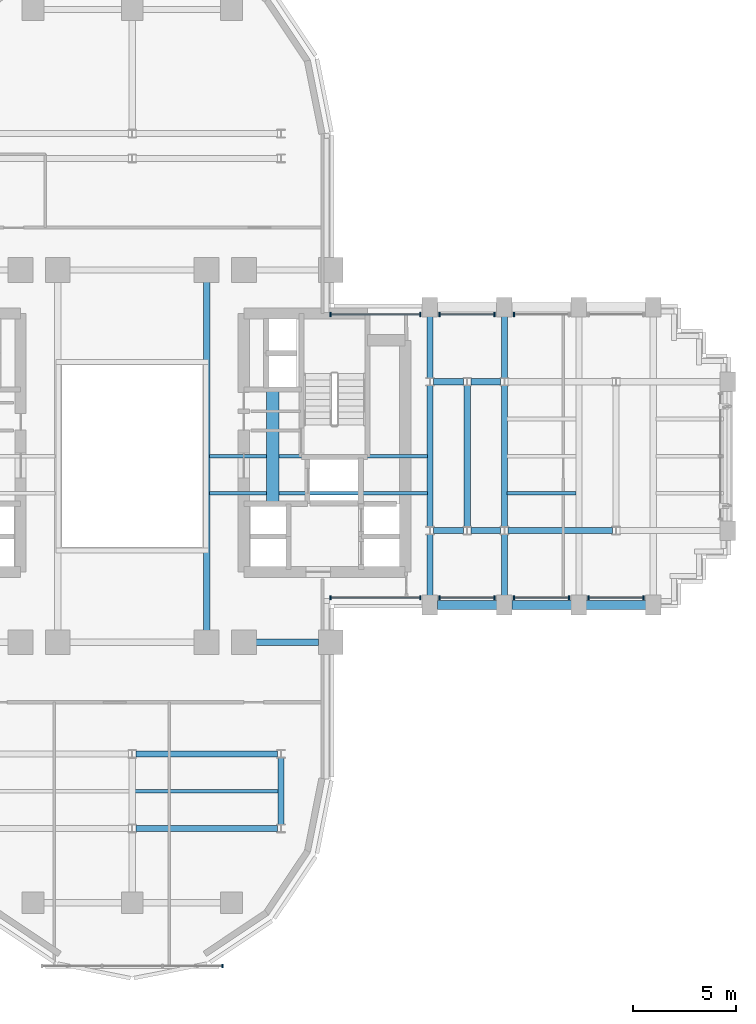
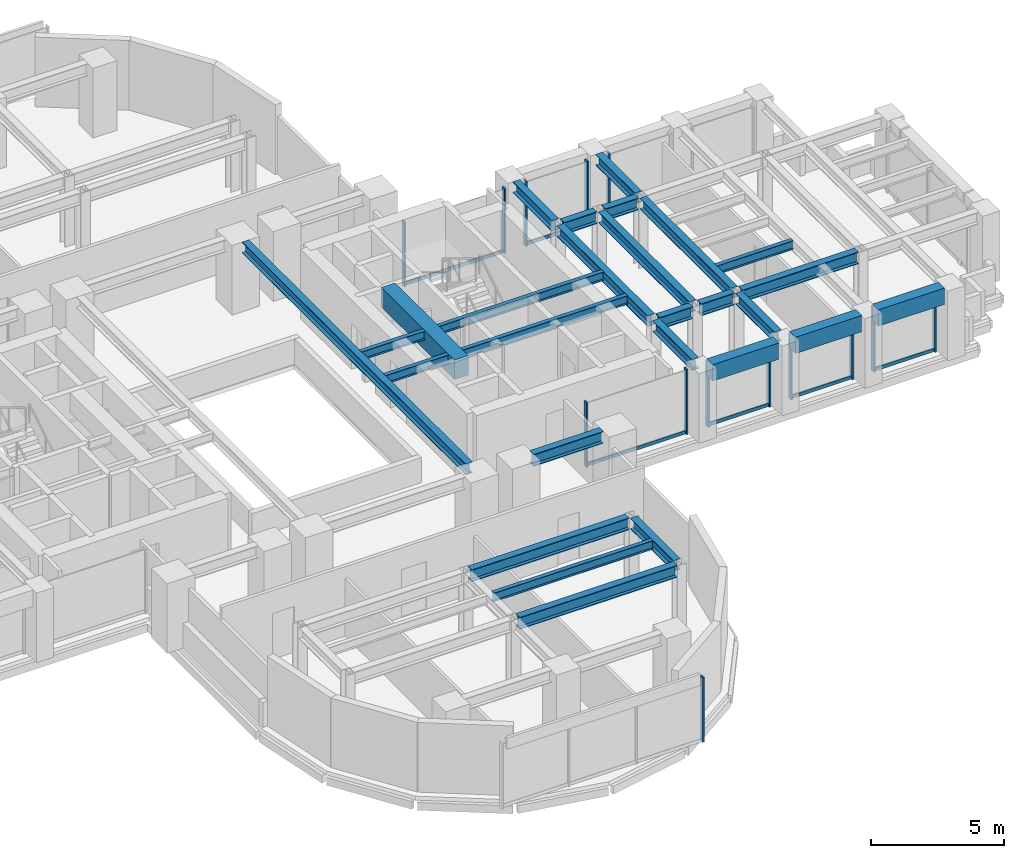
# One storey, part 5 of 16: 25 beams, 20 members, 8 elements without a shape of their own.
"""IFC4 building model written with IfcOpenShell, lengths in metres."""

from ifc_helpers import new_model, si_unit, direction, frame, origin, origin_2d, place, context, subcontext, project, spatial, rectangle, i_section, extrude, source, transform, mapped, material, material_profile, profile_set, type_object, element, aggregate, save


model = new_model("IFC4")

# Units and contexts
model_context = context("Model", 3, precision=1e-05, world=origin(), true_north=direction((0.0, 1.0)))
body_context = subcontext(model_context, "Body", "Model", "MODEL_VIEW")
ifc_project = project(units=[si_unit("LENGTHUNIT", "METRE"), si_unit("AREAUNIT", "SQUARE_METRE"), si_unit("VOLUMEUNIT", "CUBIC_METRE"), si_unit("PLANEANGLEUNIT", "RADIAN"), si_unit("MASSUNIT", "GRAM", prefix="KILO")], contexts=[model_context])

# Site, building, storey
site_placement = place(None, origin())
site = spatial("IfcSite", under=ifc_project, at=site_placement, CompositionType="ELEMENT")
building_placement = place(site_placement, origin())
building = spatial("IfcBuilding", under=site, at=building_placement, Name="Keilestroom Media Tower", CompositionType="ELEMENT")
storey_placement = place(building_placement, frame((0.0, 0.0, 57.800048828125)))
storey = spatial("IfcBuildingStorey", under=building, at=storey_placement, Name="L14", CompositionType="ELEMENT", Elevation=57.800048828125)

# Beams
ifc_material_1 = material(Name="Concrete C70/85", Category="concrete")
ifc_material_profile_1 = material_profile(ifc_material_1, rectangle(XDim=0.60009765625, YDim=0.89990234375, at=origin_2d()), Name="RC 600x900")
ifc_profile_set_1 = profile_set([ifc_material_profile_1], Name="Concrete C70/85")
beam_type_1 = type_object("IfcBeamType", Name="Core-Coupling-Lintel-Beam-RC-600x900", PredefinedType="LINTEL", material=ifc_profile_set_1)
shared_shape_1 = source(origin(), body_context, "Body", "SweptSolid", [
    extrude(rectangle(XDim=0.60009765625, YDim=0.89990234375, at=origin_2d()), origin(), (0.0, 0.0, 1.0), 5.52001953125),
])
beam_1_placement = place(storey_placement, frame((6.800048828125, -2.300048828125, 2.75), z_axis=(0.0, 1.0, 0.0), x_axis=(-1.0, 0.0, 0.0)))
element("IfcBeam", 1, at=beam_1_placement, inside=storey, type_object=beam_type_1, Name="L14 Beam CLB-1 CLB-L14-E", PredefinedType="LINTEL", context=body_context, shape_type="MappedRepresentation", body=[
    mapped(shared_shape_1, transform((0.0, 0.0, 0.0), x_axis=(1.0, 0.0, 0.0), y_axis=(0.0, 1.0, 0.0), z_axis=(0.0, 0.0, 1.0), scale=1.0)),
])
ifc_material_2 = material(Name="Steel S355", Category="steel")
ifc_material_profile_2 = material_profile(ifc_material_2, i_section(OverallWidth=0.300048828125, OverallDepth=0.550048828125, WebThickness=0.012939453125, FlangeThickness=0.029052734375, at=origin_2d()), Name="HEB 550")
ifc_profile_set_2 = profile_set([ifc_material_profile_2], Name="Steel S355")
beam_type_2 = type_object("IfcBeamType", Name="Primary-Structural-Girder-HEB-550", PredefinedType="BEAM", material=ifc_profile_set_2)
shared_shape_2 = source(origin(), body_context, "Body", "SweptSolid", [
    extrude(i_section(OverallWidth=0.300048828125, OverallDepth=0.550048828125, WebThickness=0.012939453125, FlangeThickness=0.029052734375, at=origin_2d()), origin(), (0.0, 0.0, 1.0), 6.836181640625),
])
for number, where, z_axis, x_axis, name in (
    (2, (0.181884765625, -18.0, 2.925048828125), (1.0, 0.0, 0.0), (0.0, 1.0, 0.0), "L14 Beam BG-5 BM-L14-EW-004"),
    (3, (0.181884765625, -14.39990234375, 2.925048828125), (1.0, 0.0, 0.0), (0.0, 1.0, 0.0), "L14 Beam BG-5 BM-L14-EW-006"),
):
    element("IfcBeam", number, at=place(storey_placement, frame(where, z_axis=z_axis, x_axis=x_axis)), inside=storey, type_object=beam_type_2, Name=name, PredefinedType="BEAM", context=body_context, shape_type="MappedRepresentation", body=[
        mapped(shared_shape_2, transform((0.0, 0.0, 0.0), x_axis=(1.0, 0.0, 0.0), y_axis=(0.0, 1.0, 0.0), z_axis=(0.0, 0.0, 1.0), scale=1.0)),
    ])
shared_shape_3 = source(origin(), body_context, "Body", "SweptSolid", [
    extrude(i_section(OverallWidth=0.300048828125, OverallDepth=0.550048828125, WebThickness=0.012939453125, FlangeThickness=0.029052734375, at=origin_2d()), origin(), (0.0, 0.0, 1.0), 3.0400390625),
])
beam_2_placement = place(storey_placement, frame((5.97998046875, -9.0, 2.925048828125), z_axis=(1.0, 0.0, 0.0), x_axis=(0.0, 1.0, 0.0)))
element("IfcBeam", 4, at=beam_2_placement, inside=storey, type_object=beam_type_2, Name="L14 Beam BG-5 BM-L14-EW-011", PredefinedType="BEAM", context=body_context, shape_type="MappedRepresentation", body=[
    mapped(shared_shape_3, transform((0.0, 0.0, 0.0), x_axis=(1.0, 0.0, 0.0), y_axis=(0.0, 1.0, 0.0), z_axis=(0.0, 0.0, 1.0), scale=1.0)),
])
ifc_material_3 = material(Name="Precast concrete C40/50", Category="concrete")
ifc_material_profile_3 = material_profile(ifc_material_3, rectangle(XDim=0.449951171875, YDim=0.75, at=origin_2d()), Name="PC 450x750")
ifc_profile_set_3 = profile_set([ifc_material_profile_3], Name="Precast concrete C40/50")
beam_type_3 = type_object("IfcBeamType", Name="Perimeter-Spandrel-Beam-PC-450x750", PredefinedType="SPANDREL", material=ifc_profile_set_3)
shared_shape_4 = source(origin(), body_context, "Body", "SweptSolid", [
    extrude(rectangle(XDim=0.449951171875, YDim=0.75, at=origin_2d()), origin(), (0.0, 0.0, 1.0), 2.889892578125),
])
beam_3_placement = place(storey_placement, frame((21.955078125, -7.199951171875, 2.824951171875), z_axis=(1.0, 0.0, 0.0), x_axis=(0.0, 1.0, 0.0)))
element("IfcBeam", 5, at=beam_3_placement, inside=storey, type_object=beam_type_3, Name="L14 Beam SPB-1 BM-L14-EW-017", PredefinedType="SPANDREL", context=body_context, shape_type="MappedRepresentation", body=[
    mapped(shared_shape_4, transform((0.0, 0.0, 0.0), x_axis=(1.0, 0.0, 0.0), y_axis=(0.0, 1.0, 0.0), z_axis=(0.0, 0.0, 1.0), scale=1.0)),
])
shared_shape_5 = source(origin(), body_context, "Body", "SweptSolid", [
    extrude(rectangle(XDim=0.449951171875, YDim=0.75, at=origin_2d()), origin(), (0.0, 0.0, 1.0), 2.89013671875),
])
for number, where, z_axis, x_axis, name in (
    (6, (14.7548828125, -7.199951171875, 2.824951171875), (1.0, 0.0, 0.0), (0.0, 1.0, 0.0), "L14 Beam SPB-1 BM-L14-EW-015"),
    (7, (18.35498046875, -7.199951171875, 2.824951171875), (1.0, 0.0, 0.0), (0.0, 1.0, 0.0), "L14 Beam SPB-1 BM-L14-EW-016"),
):
    element("IfcBeam", number, at=place(storey_placement, frame(where, z_axis=z_axis, x_axis=x_axis)), inside=storey, type_object=beam_type_3, Name=name, PredefinedType="SPANDREL", context=body_context, shape_type="MappedRepresentation", body=[
        mapped(shared_shape_5, transform((0.0, 0.0, 0.0), x_axis=(1.0, 0.0, 0.0), y_axis=(0.0, 1.0, 0.0), z_axis=(0.0, 0.0, 1.0), scale=1.0)),
    ])
shared_shape_6 = source(origin(), body_context, "Body", "SweptSolid", [
    extrude(i_section(OverallWidth=0.300048828125, OverallDepth=0.550048828125, WebThickness=0.012939453125, FlangeThickness=0.029052734375, at=origin_2d()), origin(), (0.0, 0.0, 1.0), 5.0361328125),
])
beam_4_placement = place(storey_placement, frame((18.181884765625, -3.60009765625, 2.925048828125), z_axis=(1.0, 0.0, 0.0), x_axis=(0.0, 1.0, 0.0)))
element("IfcBeam", 8, at=beam_4_placement, inside=storey, type_object=beam_type_2, Name="L14 Beam BG-5 BM-L14-EW-024", PredefinedType="BEAM", context=body_context, shape_type="MappedRepresentation", body=[
    mapped(shared_shape_6, transform((0.0, 0.0, 0.0), x_axis=(1.0, 0.0, 0.0), y_axis=(0.0, 1.0, 0.0), z_axis=(0.0, 0.0, 1.0), scale=1.0)),
])
shared_shape_7 = source(origin(), body_context, "Body", "SweptSolid", [
    extrude(i_section(OverallWidth=0.300048828125, OverallDepth=0.550048828125, WebThickness=0.012939453125, FlangeThickness=0.029052734375, at=origin_2d()), origin(), (0.0, 0.0, 1.0), 1.43603515625),
])
for number, where, z_axis, x_axis, name in (
    (9, (14.58203125, -3.60009765625, 2.925048828125), (1.0, 0.0, 0.0), (0.0, 1.0, 0.0), "L14 Beam BG-5 BM-L14-EW-022"),
    (10, (16.382080078125, -3.60009765625, 2.925048828125), (1.0, 0.0, 0.0), (0.0, 1.0, 0.0), "L14 Beam BG-5 BM-L14-EW-023"),
    (11, (14.58203125, 3.60009765625, 2.925048828125), (1.0, 0.0, 0.0), (0.0, 1.0, 0.0), "L14 Beam BG-5 BM-L14-EW-030"),
    (12, (16.382080078125, 3.60009765625, 2.925048828125), (1.0, 0.0, 0.0), (0.0, 1.0, 0.0), "L14 Beam BG-5 BM-L14-EW-031"),
):
    element("IfcBeam", number, at=place(storey_placement, frame(where, z_axis=z_axis, x_axis=x_axis)), inside=storey, type_object=beam_type_2, Name=name, PredefinedType="BEAM", context=body_context, shape_type="MappedRepresentation", body=[
        mapped(shared_shape_7, transform((0.0, 0.0, 0.0), x_axis=(1.0, 0.0, 0.0), y_axis=(0.0, 1.0, 0.0), z_axis=(0.0, 0.0, 1.0), scale=1.0)),
    ])
ifc_material_profile_4 = material_profile(ifc_material_2, i_section(OverallWidth=0.300048828125, OverallDepth=0.5, WebThickness=0.012451171875, FlangeThickness=0.028076171875, at=origin_2d()), Name="HEB 500")
ifc_profile_set_4 = profile_set([ifc_material_profile_4], Name="Steel S355")
beam_type_4 = type_object("IfcBeamType", Name="Primary-Structural-Girder-HEB-500", PredefinedType="BEAM", material=ifc_profile_set_4)
shared_shape_8 = source(origin(), body_context, "Body", "SweptSolid", [
    extrude(i_section(OverallWidth=0.300048828125, OverallDepth=0.5, WebThickness=0.012451171875, FlangeThickness=0.028076171875, at=origin_2d()), origin(), (0.0, 0.0, 1.0), 6.8330078125),
])
for number, where, z_axis, x_axis, name in (
    (13, (14.39990234375, -3.41650390625, 2.949951171875), (0.0, 1.0, 0.0), (-1.0, 0.0, 0.0), "L14 Beam BG-6 BM-L14-NS-077"),
    (14, (16.199951171875, -3.41650390625, 2.949951171875), (0.0, 1.0, 0.0), (-1.0, 0.0, 0.0), "L14 Beam BG-6 BM-L14-NS-079"),
    (15, (18.0, -3.41650390625, 2.949951171875), (0.0, 1.0, 0.0), (-1.0, 0.0, 0.0), "L14 Beam BG-6 BM-L14-NS-081"),
):
    element("IfcBeam", number, at=place(storey_placement, frame(where, z_axis=z_axis, x_axis=x_axis)), inside=storey, type_object=beam_type_4, Name=name, PredefinedType="BEAM", context=body_context, shape_type="MappedRepresentation", body=[
        mapped(shared_shape_8, transform((0.0, 0.0, 0.0), x_axis=(1.0, 0.0, 0.0), y_axis=(0.0, 1.0, 0.0), z_axis=(0.0, 0.0, 1.0), scale=1.0)),
    ])
shared_shape_9 = source(origin(), body_context, "Body", "SweptSolid", [
    extrude(i_section(OverallWidth=0.300048828125, OverallDepth=0.5, WebThickness=0.012451171875, FlangeThickness=0.028076171875, at=origin_2d()), origin(), (0.0, 0.0, 1.0), 2.961669921875),
])
for number, where, z_axis, x_axis, name in (
    (16, (14.39990234375, -6.7451171875, 2.949951171875), (0.0, 1.0, 0.0), (-1.0, 0.0, 0.0), "L14 Beam BG-6 BM-L14-NS-076"),
    (17, (14.39990234375, 3.783447265625, 2.949951171875), (0.0, 1.0, 0.0), (-1.0, 0.0, 0.0), "L14 Beam BG-6 BM-L14-NS-078"),
    (18, (18.0, -6.7451171875, 2.949951171875), (0.0, 1.0, 0.0), (-1.0, 0.0, 0.0), "L14 Beam BG-6 BM-L14-NS-080"),
    (19, (18.0, 3.783447265625, 2.949951171875), (0.0, 1.0, 0.0), (-1.0, 0.0, 0.0), "L14 Beam BG-6 BM-L14-NS-082"),
):
    element("IfcBeam", number, at=place(storey_placement, frame(where, z_axis=z_axis, x_axis=x_axis)), inside=storey, type_object=beam_type_4, Name=name, PredefinedType="BEAM", context=body_context, shape_type="MappedRepresentation", body=[
        mapped(shared_shape_9, transform((0.0, 0.0, 0.0), x_axis=(1.0, 0.0, 0.0), y_axis=(0.0, 1.0, 0.0), z_axis=(0.0, 0.0, 1.0), scale=1.0)),
    ])
shared_shape_10 = source(origin(), body_context, "Body", "SweptSolid", [
    extrude(i_section(OverallWidth=0.300048828125, OverallDepth=0.5, WebThickness=0.012451171875, FlangeThickness=0.028076171875, at=origin_2d()), origin(), (0.0, 0.0, 1.0), 3.23291015625),
])
beam_5_placement = place(storey_placement, frame((7.199951171875, -17.81640625, 2.949951171875), z_axis=(0.0, 1.0, 0.0), x_axis=(-1.0, 0.0, 0.0)))
element("IfcBeam", 20, at=beam_5_placement, inside=storey, type_object=beam_type_4, Name="L14 Beam BG-6 BM-L14-NS-073", PredefinedType="BEAM", context=body_context, shape_type="MappedRepresentation", body=[
    mapped(shared_shape_10, transform((0.0, 0.0, 0.0), x_axis=(1.0, 0.0, 0.0), y_axis=(0.0, 1.0, 0.0), z_axis=(0.0, 0.0, 1.0), scale=1.0)),
])
shared_shape_11 = source(origin(), body_context, "Body", "SweptSolid", [
    extrude(i_section(OverallWidth=0.300048828125, OverallDepth=0.5, WebThickness=0.012451171875, FlangeThickness=0.028076171875, at=origin_2d()), origin(), (0.0, 0.0, 1.0), 16.83984375),
])
beam_6_placement = place(storey_placement, frame((3.60009765625, -8.419921875, 2.949951171875), z_axis=(0.0, 1.0, 0.0), x_axis=(-1.0, 0.0, 0.0)))
element("IfcBeam", 21, at=beam_6_placement, inside=storey, type_object=beam_type_4, Name="L14 Beam BG-6 BM-L14-NS-071", PredefinedType="BEAM", context=body_context, shape_type="MappedRepresentation", body=[
    mapped(shared_shape_11, transform((0.0, 0.0, 0.0), x_axis=(1.0, 0.0, 0.0), y_axis=(0.0, 1.0, 0.0), z_axis=(0.0, 0.0, 1.0), scale=1.0)),
])
ifc_material_profile_5 = material_profile(ifc_material_2, i_section(OverallWidth=0.179931640625, OverallDepth=0.39990234375, WebThickness=0.008544921875, FlangeThickness=0.013427734375, at=origin_2d()), Name="IPE 400")
ifc_profile_set_5 = profile_set([ifc_material_profile_5], Name="Steel S355")
beam_type_5 = type_object("IfcBeamType", Name="Secondary-Floor-Joist-IPE-400", PredefinedType="JOIST", material=ifc_profile_set_5)
shared_shape_12 = source(origin(), body_context, "Body", "SweptSolid", [
    extrude(i_section(OverallWidth=0.179931640625, OverallDepth=0.39990234375, WebThickness=0.008544921875, FlangeThickness=0.013427734375, at=origin_2d()), origin(), (0.0, 0.0, 1.0), 6.940185546875),
])
beam_7_placement = place(storey_placement, frame((0.1298828125, -16.199951171875, 3.0), z_axis=(1.0, 0.0, 0.0), x_axis=(0.0, 1.0, 0.0)))
element("IfcBeam", 22, at=beam_7_placement, inside=storey, type_object=beam_type_5, Name="L14 Beam BJ-4 JST-L14-088", PredefinedType="JOIST", context=body_context, shape_type="MappedRepresentation", body=[
    mapped(shared_shape_12, transform((0.0, 0.0, 0.0), x_axis=(1.0, 0.0, 0.0), y_axis=(0.0, 1.0, 0.0), z_axis=(0.0, 0.0, 1.0), scale=1.0)),
])
shared_shape_13 = source(origin(), body_context, "Body", "SweptSolid", [
    extrude(i_section(OverallWidth=0.179931640625, OverallDepth=0.39990234375, WebThickness=0.008544921875, FlangeThickness=0.013427734375, at=origin_2d()), origin(), (0.0, 0.0, 1.0), 3.340087890625),
])
beam_8_placement = place(storey_placement, frame((18.1298828125, -1.800048828125, 3.0), z_axis=(1.0, 0.0, 0.0), x_axis=(0.0, 1.0, 0.0)))
element("IfcBeam", 23, at=beam_8_placement, inside=storey, type_object=beam_type_5, Name="L14 Beam BJ-4 JST-L14-094", PredefinedType="JOIST", context=body_context, shape_type="MappedRepresentation", body=[
    mapped(shared_shape_13, transform((0.0, 0.0, 0.0), x_axis=(1.0, 0.0, 0.0), y_axis=(0.0, 1.0, 0.0), z_axis=(0.0, 0.0, 1.0), scale=1.0)),
])
shared_shape_14 = source(origin(), body_context, "Body", "SweptSolid", [
    extrude(i_section(OverallWidth=0.179931640625, OverallDepth=0.39990234375, WebThickness=0.008544921875, FlangeThickness=0.013427734375, at=origin_2d()), origin(), (0.0, 0.0, 1.0), 10.5400390625),
])
for number, where, z_axis, x_axis, name in (
    (24, (3.72998046875, -1.800048828125, 3.0), (1.0, 0.0, 0.0), (0.0, 1.0, 0.0), "L14 Beam BJ-4 JST-L14-093"),
    (25, (3.72998046875, 0.0, 3.0), (1.0, 0.0, 0.0), (0.0, 1.0, 0.0), "L14 Beam BJ-4 JST-L14-100"),
):
    element("IfcBeam", number, at=place(storey_placement, frame(where, z_axis=z_axis, x_axis=x_axis)), inside=storey, type_object=beam_type_5, Name=name, PredefinedType="JOIST", context=body_context, shape_type="MappedRepresentation", body=[
        mapped(shared_shape_14, transform((0.0, 0.0, 0.0), x_axis=(1.0, 0.0, 0.0), y_axis=(0.0, 1.0, 0.0), z_axis=(0.0, 0.0, 1.0), scale=1.0)),
    ])

# Curtain wall, members
ifc_material_4 = material(Name="Anodised Aluminium Alloy", Category="aluminium")
curtain_wall_type_1 = type_object("IfcCurtainWallType", Name="Unitised-Curtain-Wall-CW-1", PredefinedType="NOTDEFINED", material=ifc_material_4)
curtain_wall_1_placement = place(storey_placement, origin())
curtain_wall_1 = element("IfcCurtainWall", 26, at=curtain_wall_1_placement, inside=storey, type_object=curtain_wall_type_1, Name="L14 Curtain Wall CW-1 CW-L14-NE-1", PredefinedType="NOTDEFINED")
ifc_material_profile_6 = material_profile(ifc_material_4, rectangle(XDim=0.070068359375, YDim=0.199951171875, at=origin_2d()), Name="ALU MULLION 70x200")
ifc_profile_set_6 = profile_set([ifc_material_profile_6], Name="Anodised Aluminium Alloy")
member_type_1 = type_object("IfcMemberType", Name="Curtain-Wall-Mullion-CW-1", PredefinedType="MULLION", material=ifc_profile_set_6)
shared_shape_15 = source(origin(), body_context, "Body", "SweptSolid", [
    extrude(rectangle(XDim=0.070068359375, YDim=0.199951171875, at=origin_2d()), origin(), (0.0, 0.0, 1.0), 2.97998046875),
])
member_1_placement = place(storey_placement, frame((9.5849609375, 6.85009765625, 0.0), z_axis=(0.0, 0.0, 1.0), x_axis=(1.0, 0.0, 0.0)))
member_1 = element("IfcMember", 27, at=member_1_placement, type_object=member_type_1, Name="CW-1 Mullion 00", PredefinedType="MULLION", context=body_context, shape_type="MappedRepresentation", body=[
    mapped(shared_shape_15, transform((0.0, 0.0, 0.0), x_axis=(1.0, 0.0, 0.0), y_axis=(0.0, 1.0, 0.0), z_axis=(0.0, 0.0, 1.0), scale=1.0)),
])
member_2_placement = place(storey_placement, frame((13.929931640625, 6.85009765625, 0.0), z_axis=(0.0, 0.0, 1.0), x_axis=(1.0, 0.0, 0.0)))
member_2 = element("IfcMember", 28, at=member_2_placement, type_object=member_type_1, Name="CW-1 Mullion 01", PredefinedType="MULLION", context=body_context, shape_type="MappedRepresentation", body=[
    mapped(shared_shape_15, transform((0.0, 0.0, 0.0), x_axis=(1.0, 0.0, 0.0), y_axis=(0.0, 1.0, 0.0), z_axis=(0.0, 0.0, 1.0), scale=1.0)),
])

curtain_wall_2_placement = place(storey_placement, origin())
curtain_wall_2 = element("IfcCurtainWall", 29, at=curtain_wall_2_placement, inside=storey, type_object=curtain_wall_type_1, Name="L14 Curtain Wall CW-1 CW-L14-NE-2", PredefinedType="NOTDEFINED")
member_3_placement = place(storey_placement, frame((14.8701171875, 6.85009765625, 0.0), z_axis=(0.0, 0.0, 1.0), x_axis=(1.0, 0.0, 0.0)))
member_3 = element("IfcMember", 30, at=member_3_placement, type_object=member_type_1, Name="CW-1 Mullion 00", PredefinedType="MULLION", context=body_context, shape_type="MappedRepresentation", body=[
    mapped(shared_shape_15, transform((0.0, 0.0, 0.0), x_axis=(1.0, 0.0, 0.0), y_axis=(0.0, 1.0, 0.0), z_axis=(0.0, 0.0, 1.0), scale=1.0)),
])
member_4_placement = place(storey_placement, frame((17.530029296875, 6.85009765625, 0.0), z_axis=(0.0, 0.0, 1.0), x_axis=(1.0, 0.0, 0.0)))
member_4 = element("IfcMember", 31, at=member_4_placement, type_object=member_type_1, Name="CW-1 Mullion 01", PredefinedType="MULLION", context=body_context, shape_type="MappedRepresentation", body=[
    mapped(shared_shape_15, transform((0.0, 0.0, 0.0), x_axis=(1.0, 0.0, 0.0), y_axis=(0.0, 1.0, 0.0), z_axis=(0.0, 0.0, 1.0), scale=1.0)),
])

# Curtain wall, member
curtain_wall_3_placement = place(storey_placement, origin())
curtain_wall_3 = element("IfcCurtainWall", 32, at=curtain_wall_3_placement, inside=storey, type_object=curtain_wall_type_1, Name="L14 Curtain Wall CW-1 CW-L14-NE-3", PredefinedType="NOTDEFINED")
member_5_placement = place(storey_placement, frame((18.469970703125, 6.85009765625, 0.0), z_axis=(0.0, 0.0, 1.0), x_axis=(1.0, 0.0, 0.0)))
member_5 = element("IfcMember", 33, at=member_5_placement, type_object=member_type_1, Name="CW-1 Mullion 00", PredefinedType="MULLION", context=body_context, shape_type="MappedRepresentation", body=[
    mapped(shared_shape_15, transform((0.0, 0.0, 0.0), x_axis=(1.0, 0.0, 0.0), y_axis=(0.0, 1.0, 0.0), z_axis=(0.0, 0.0, 1.0), scale=1.0)),
])
aggregate(curtain_wall_3, [member_5])

# Curtain wall, members
curtain_wall_4_placement = place(storey_placement, origin())
curtain_wall_4 = element("IfcCurtainWall", 34, at=curtain_wall_4_placement, inside=storey, type_object=curtain_wall_type_1, Name="L14 Curtain Wall CW-1 CW-L14-SE-1", PredefinedType="NOTDEFINED")
member_6_placement = place(storey_placement, frame((9.5849609375, -6.85009765625, 0.0), z_axis=(0.0, 0.0, 1.0), x_axis=(1.0, 0.0, 0.0)))
member_6 = element("IfcMember", 35, at=member_6_placement, type_object=member_type_1, Name="CW-1 Mullion 00", PredefinedType="MULLION", context=body_context, shape_type="MappedRepresentation", body=[
    mapped(shared_shape_15, transform((0.0, 0.0, 0.0), x_axis=(1.0, 0.0, 0.0), y_axis=(0.0, 1.0, 0.0), z_axis=(0.0, 0.0, 1.0), scale=1.0)),
])
member_7_placement = place(storey_placement, frame((13.929931640625, -6.85009765625, 0.0), z_axis=(0.0, 0.0, 1.0), x_axis=(1.0, 0.0, 0.0)))
member_7 = element("IfcMember", 36, at=member_7_placement, type_object=member_type_1, Name="CW-1 Mullion 01", PredefinedType="MULLION", context=body_context, shape_type="MappedRepresentation", body=[
    mapped(shared_shape_15, transform((0.0, 0.0, 0.0), x_axis=(1.0, 0.0, 0.0), y_axis=(0.0, 1.0, 0.0), z_axis=(0.0, 0.0, 1.0), scale=1.0)),
])

curtain_wall_5_placement = place(storey_placement, origin())
curtain_wall_5 = element("IfcCurtainWall", 37, at=curtain_wall_5_placement, inside=storey, type_object=curtain_wall_type_1, Name="L14 Curtain Wall CW-1 CW-L14-SE-2", PredefinedType="NOTDEFINED")
member_8_placement = place(storey_placement, frame((14.8701171875, -6.85009765625, 0.0), z_axis=(0.0, 0.0, 1.0), x_axis=(1.0, 0.0, 0.0)))
member_8 = element("IfcMember", 38, at=member_8_placement, type_object=member_type_1, Name="CW-1 Mullion 00", PredefinedType="MULLION", context=body_context, shape_type="MappedRepresentation", body=[
    mapped(shared_shape_15, transform((0.0, 0.0, 0.0), x_axis=(1.0, 0.0, 0.0), y_axis=(0.0, 1.0, 0.0), z_axis=(0.0, 0.0, 1.0), scale=1.0)),
])
member_9_placement = place(storey_placement, frame((17.530029296875, -6.85009765625, 0.0), z_axis=(0.0, 0.0, 1.0), x_axis=(1.0, 0.0, 0.0)))
member_9 = element("IfcMember", 39, at=member_9_placement, type_object=member_type_1, Name="CW-1 Mullion 01", PredefinedType="MULLION", context=body_context, shape_type="MappedRepresentation", body=[
    mapped(shared_shape_15, transform((0.0, 0.0, 0.0), x_axis=(1.0, 0.0, 0.0), y_axis=(0.0, 1.0, 0.0), z_axis=(0.0, 0.0, 1.0), scale=1.0)),
])

curtain_wall_6_placement = place(storey_placement, origin())
curtain_wall_6 = element("IfcCurtainWall", 40, at=curtain_wall_6_placement, inside=storey, type_object=curtain_wall_type_1, Name="L14 Curtain Wall CW-1 CW-L14-SE-3", PredefinedType="NOTDEFINED")
member_10_placement = place(storey_placement, frame((18.469970703125, -6.85009765625, 0.0), z_axis=(0.0, 0.0, 1.0), x_axis=(1.0, 0.0, 0.0)))
member_10 = element("IfcMember", 41, at=member_10_placement, type_object=member_type_1, Name="CW-1 Mullion 00", PredefinedType="MULLION", context=body_context, shape_type="MappedRepresentation", body=[
    mapped(shared_shape_15, transform((0.0, 0.0, 0.0), x_axis=(1.0, 0.0, 0.0), y_axis=(0.0, 1.0, 0.0), z_axis=(0.0, 0.0, 1.0), scale=1.0)),
])
member_11_placement = place(storey_placement, frame((21.1298828125, -6.85009765625, 0.0), z_axis=(0.0, 0.0, 1.0), x_axis=(1.0, 0.0, 0.0)))
member_11 = element("IfcMember", 42, at=member_11_placement, type_object=member_type_1, Name="CW-1 Mullion 01", PredefinedType="MULLION", context=body_context, shape_type="MappedRepresentation", body=[
    mapped(shared_shape_15, transform((0.0, 0.0, 0.0), x_axis=(1.0, 0.0, 0.0), y_axis=(0.0, 1.0, 0.0), z_axis=(0.0, 0.0, 1.0), scale=1.0)),
])

curtain_wall_7_placement = place(storey_placement, origin())
curtain_wall_7 = element("IfcCurtainWall", 43, at=curtain_wall_7_placement, inside=storey, type_object=curtain_wall_type_1, Name="L14 Curtain Wall CW-1 CW-L14-SE-4", PredefinedType="NOTDEFINED")
member_12_placement = place(storey_placement, frame((22.070068359375, -6.85009765625, 0.0), z_axis=(0.0, 0.0, 1.0), x_axis=(1.0, 0.0, 0.0)))
member_12 = element("IfcMember", 44, at=member_12_placement, type_object=member_type_1, Name="CW-1 Mullion 00", PredefinedType="MULLION", context=body_context, shape_type="MappedRepresentation", body=[
    mapped(shared_shape_15, transform((0.0, 0.0, 0.0), x_axis=(1.0, 0.0, 0.0), y_axis=(0.0, 1.0, 0.0), z_axis=(0.0, 0.0, 1.0), scale=1.0)),
])
member_13_placement = place(storey_placement, frame((24.72998046875, -6.85009765625, 0.0), z_axis=(0.0, 0.0, 1.0), x_axis=(1.0, 0.0, 0.0)))
member_13 = element("IfcMember", 45, at=member_13_placement, type_object=member_type_1, Name="CW-1 Mullion 01", PredefinedType="MULLION", context=body_context, shape_type="MappedRepresentation", body=[
    mapped(shared_shape_15, transform((0.0, 0.0, 0.0), x_axis=(1.0, 0.0, 0.0), y_axis=(0.0, 1.0, 0.0), z_axis=(0.0, 0.0, 1.0), scale=1.0)),
])

# Member
ifc_material_profile_7 = material_profile(ifc_material_4, rectangle(XDim=0.06494140625, YDim=0.14990234375, at=origin_2d()), Name="ALU TRANSOM 65x150")
ifc_profile_set_7 = profile_set([ifc_material_profile_7], Name="Anodised Aluminium Alloy")
member_type_2 = type_object("IfcMemberType", Name="Curtain-Wall-Transom-CW-1", PredefinedType="USERDEFINED", material=ifc_profile_set_7)
shared_shape_16 = source(origin(), body_context, "Body", "SweptSolid", [
    extrude(rectangle(XDim=0.06494140625, YDim=0.14990234375, at=origin_2d()), origin(), (0.0, 0.0, 1.0), 2.593994140625),
])
member_14_placement = place(storey_placement, frame((14.903076171875, 6.85009765625, 0.074951171875), z_axis=(1.0, 0.0, 0.0), x_axis=(0.0, 1.0, 0.0)))
member_14 = element("IfcMember", 46, at=member_14_placement, type_object=member_type_2, Name="CW-1 Transom 00.1", ObjectType="TRANSOM", PredefinedType="USERDEFINED", context=body_context, shape_type="MappedRepresentation", body=[
    mapped(shared_shape_16, transform((0.0, 0.0, 0.0), x_axis=(1.0, 0.0, 0.0), y_axis=(0.0, 1.0, 0.0), z_axis=(0.0, 0.0, 1.0), scale=1.0)),
])

aggregate(curtain_wall_2, [member_3, member_4, member_14])

member_15_placement = place(storey_placement, frame((14.903076171875, -6.85009765625, 0.074951171875), z_axis=(1.0, 0.0, 0.0), x_axis=(0.0, 1.0, 0.0)))
member_15 = element("IfcMember", 47, at=member_15_placement, type_object=member_type_2, Name="CW-1 Transom 00.1", ObjectType="TRANSOM", PredefinedType="USERDEFINED", context=body_context, shape_type="MappedRepresentation", body=[
    mapped(shared_shape_16, transform((0.0, 0.0, 0.0), x_axis=(1.0, 0.0, 0.0), y_axis=(0.0, 1.0, 0.0), z_axis=(0.0, 0.0, 1.0), scale=1.0)),
])

aggregate(curtain_wall_5, [member_8, member_9, member_15])

member_16_placement = place(storey_placement, frame((18.5029296875, -6.85009765625, 0.074951171875), z_axis=(1.0, 0.0, 0.0), x_axis=(0.0, 1.0, 0.0)))
member_16 = element("IfcMember", 48, at=member_16_placement, type_object=member_type_2, Name="CW-1 Transom 00.1", ObjectType="TRANSOM", PredefinedType="USERDEFINED", context=body_context, shape_type="MappedRepresentation", body=[
    mapped(shared_shape_16, transform((0.0, 0.0, 0.0), x_axis=(1.0, 0.0, 0.0), y_axis=(0.0, 1.0, 0.0), z_axis=(0.0, 0.0, 1.0), scale=1.0)),
])

aggregate(curtain_wall_6, [member_10, member_11, member_16])

member_17_placement = place(storey_placement, frame((22.10302734375, -6.85009765625, 0.074951171875), z_axis=(1.0, 0.0, 0.0), x_axis=(0.0, 1.0, 0.0)))
member_17 = element("IfcMember", 49, at=member_17_placement, type_object=member_type_2, Name="CW-1 Transom 00.1", ObjectType="TRANSOM", PredefinedType="USERDEFINED", context=body_context, shape_type="MappedRepresentation", body=[
    mapped(shared_shape_16, transform((0.0, 0.0, 0.0), x_axis=(1.0, 0.0, 0.0), y_axis=(0.0, 1.0, 0.0), z_axis=(0.0, 0.0, 1.0), scale=1.0)),
])

aggregate(curtain_wall_7, [member_12, member_13, member_17])

shared_shape_17 = source(origin(), body_context, "Body", "SweptSolid", [
    extrude(rectangle(XDim=0.06494140625, YDim=0.14990234375, at=origin_2d()), origin(), (0.0, 0.0, 1.0), 4.279052734375),
])
member_18_placement = place(storey_placement, frame((9.617919921875, 6.85009765625, 0.074951171875), z_axis=(1.0, 0.0, 0.0), x_axis=(0.0, 1.0, 0.0)))
member_18 = element("IfcMember", 50, at=member_18_placement, type_object=member_type_2, Name="CW-1 Transom 00.1", ObjectType="TRANSOM", PredefinedType="USERDEFINED", context=body_context, shape_type="MappedRepresentation", body=[
    mapped(shared_shape_17, transform((0.0, 0.0, 0.0), x_axis=(1.0, 0.0, 0.0), y_axis=(0.0, 1.0, 0.0), z_axis=(0.0, 0.0, 1.0), scale=1.0)),
])

aggregate(curtain_wall_1, [member_1, member_2, member_18])

member_19_placement = place(storey_placement, frame((9.617919921875, -6.85009765625, 0.074951171875), z_axis=(1.0, 0.0, 0.0), x_axis=(0.0, 1.0, 0.0)))
member_19 = element("IfcMember", 51, at=member_19_placement, type_object=member_type_2, Name="CW-1 Transom 00.1", ObjectType="TRANSOM", PredefinedType="USERDEFINED", context=body_context, shape_type="MappedRepresentation", body=[
    mapped(shared_shape_17, transform((0.0, 0.0, 0.0), x_axis=(1.0, 0.0, 0.0), y_axis=(0.0, 1.0, 0.0), z_axis=(0.0, 0.0, 1.0), scale=1.0)),
])

aggregate(curtain_wall_4, [member_6, member_7, member_19])

# Curtain wall, member
curtain_wall_type_2 = type_object("IfcCurtainWallType", Name="Unitised-Curtain-Wall-CW-6", PredefinedType="NOTDEFINED", material=ifc_material_4)
curtain_wall_8_placement = place(storey_placement, origin())
curtain_wall_8 = element("IfcCurtainWall", 52, at=curtain_wall_8_placement, inside=storey, type_object=curtain_wall_type_2, Name="L14 Curtain Wall CW-6 CW-L14-LS-1", PredefinedType="NOTDEFINED")
ifc_material_profile_8 = material_profile(ifc_material_4, rectangle(XDim=0.06494140625, YDim=0.179931640625, at=origin_2d()), Name="ALU MULLION 65x180")
ifc_profile_set_8 = profile_set([ifc_material_profile_8], Name="Anodised Aluminium Alloy")
member_type_3 = type_object("IfcMemberType", Name="Curtain-Wall-Mullion-CW-6", PredefinedType="MULLION", material=ifc_profile_set_8)
shared_shape_18 = source(origin(), body_context, "Body", "SweptSolid", [
    extrude(rectangle(XDim=0.06494140625, YDim=0.179931640625, at=origin_2d()), origin(), (0.0, 0.0, 1.0), 2.97998046875),
])
member_20_placement = place(storey_placement, frame((4.367431640625, -24.64990234375, 0.0), z_axis=(0.0, 0.0, 1.0), x_axis=(1.0, 0.0, 0.0)))
member_20 = element("IfcMember", 53, at=member_20_placement, type_object=member_type_3, Name="CW-6 Mullion 03", PredefinedType="MULLION", context=body_context, shape_type="MappedRepresentation", body=[
    mapped(shared_shape_18, transform((0.0, 0.0, 0.0), x_axis=(1.0, 0.0, 0.0), y_axis=(0.0, 1.0, 0.0), z_axis=(0.0, 0.0, 1.0), scale=1.0)),
])
aggregate(curtain_wall_8, [member_20])

save(model, "model.ifc")
